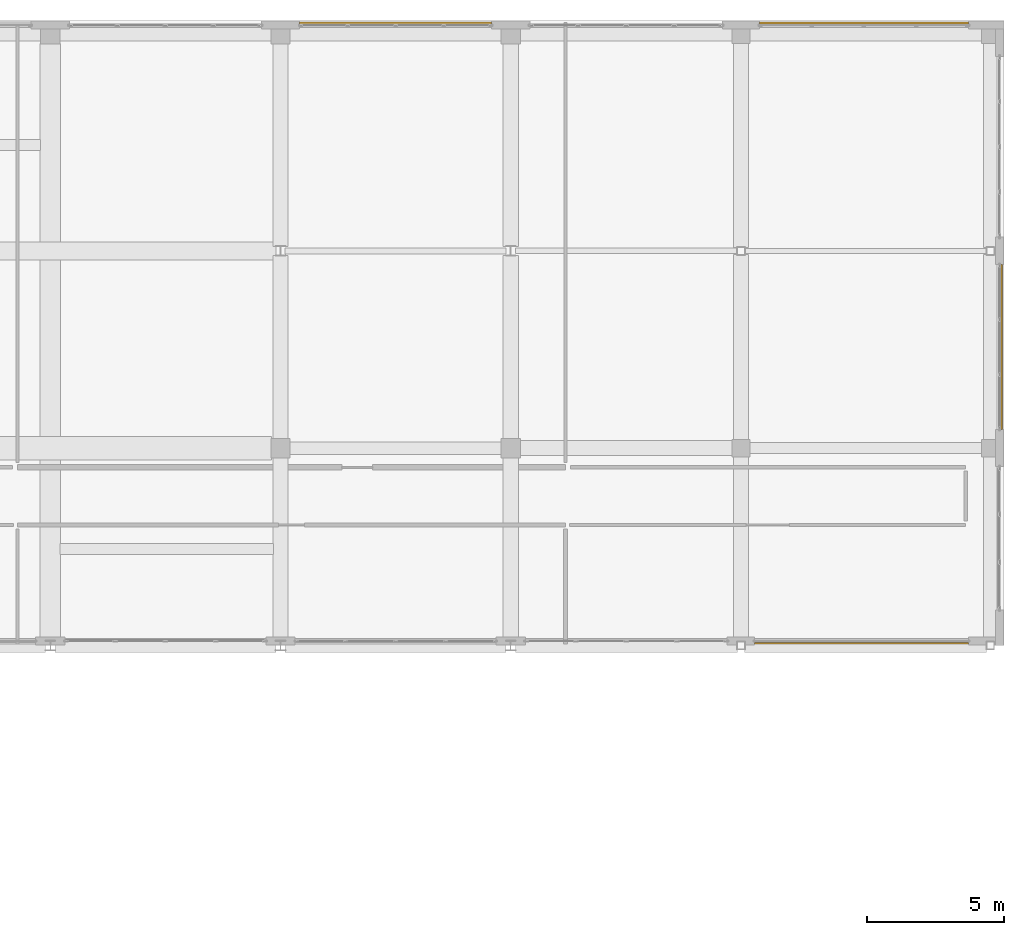
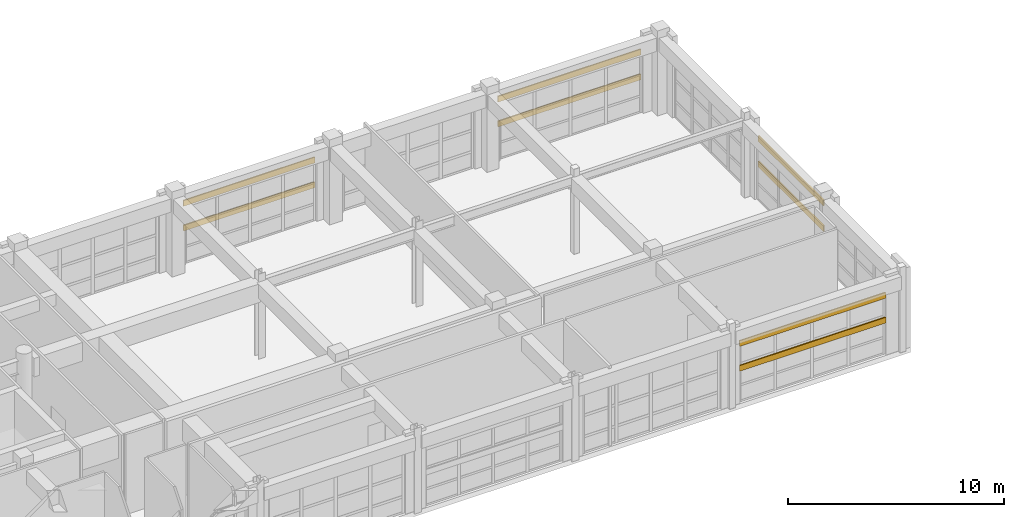
# One storey, part 123 of 123: 8 shading devices.
"""IFC4 building model written with IfcOpenShell, lengths in metres."""

from ifc_helpers import new_model, si_unit, direction, frame, origin, origin_2d, place, context, subcontext, project, spatial, hollow_rectangle, extrude, material, material_profile, profile_set, type_object, element, save


model = new_model("IFC4")

# Units and contexts
model_context = context("Model", 3, precision=1e-05, world=origin(), true_north=direction((0.0, 1.0)))
body_context = subcontext(model_context, "Body", "Model", "MODEL_VIEW")
ifc_project = project(units=[si_unit("LENGTHUNIT", "METRE"), si_unit("AREAUNIT", "SQUARE_METRE"), si_unit("VOLUMEUNIT", "CUBIC_METRE"), si_unit("PLANEANGLEUNIT", "RADIAN"), si_unit("MASSUNIT", "GRAM", prefix="KILO")], contexts=[model_context])

# Site, building, storey
site_placement = place(None, origin())
site = spatial("IfcSite", under=ifc_project, at=site_placement, CompositionType="ELEMENT")
building_placement = place(site_placement, origin())
building = spatial("IfcBuilding", under=site, at=building_placement, Name="Quendrovan Civic Courthouse", CompositionType="ELEMENT")
storey_placement = place(building_placement, frame((0.0, 0.0, 5.39990234375)))
storey = spatial("IfcBuildingStorey", under=building, at=storey_placement, Name="L02", CompositionType="ELEMENT", Elevation=5.39990234375)

# Shading devices
ifc_material = material(Name="Bronze anodised aluminium", Category="aluminium")
ifc_material_profile = material_profile(ifc_material, hollow_rectangle(XDim=0.06494140625, YDim=0.320068359375, WallThickness=0.0048828125, at=origin_2d()), Name="AL-LOUVRE-65x320")
ifc_profile_set = profile_set([ifc_material_profile], Name="Bronze anodised aluminium")
shading_device_type = type_object("IfcShadingDeviceType", Name="SHD-STORM-LOUVRE", PredefinedType="JALOUSIE", material=ifc_profile_set)
for number, where, z_axis, x_axis, name in (
    (1, (135.10009765625, 110.31494140625, 1.9501953125), (1.0, 0.0, 0.0), (0.0, 1.0, 0.0), "L02 Bronze Hurricane Storm Louvre SLV-093"),
    (2, (135.10009765625, 110.31494140625, 3.35009765625), (1.0, 0.0, 0.0), (0.0, 1.0, 0.0), "L02 Bronze Hurricane Storm Louvre SLV-094"),
):
    element("IfcShadingDevice", number, at=place(storey_placement, frame(where, z_axis=z_axis, x_axis=x_axis)), inside=storey, type_object=shading_device_type, Name=name, PredefinedType="JALOUSIE", context=body_context, shape_type="SweptSolid", body=[
        extrude(hollow_rectangle(XDim=0.06494140625, YDim=0.320068359375, WallThickness=0.0048828125, at=origin_2d()), origin(), (0.0, 0.0, 1.0), 7.0),
    ])
for number, where, z_axis, x_axis, name in (
    (3, (151.875, 110.31494140625, 1.9501953125), (1.0, 0.0, 0.0), (0.0, 1.0, 0.0), "L02 Bronze Hurricane Storm Louvre SLV-095"),
    (4, (151.875, 110.31494140625, 3.35009765625), (1.0, 0.0, 0.0), (0.0, 1.0, 0.0), "L02 Bronze Hurricane Storm Louvre SLV-096"),
):
    element("IfcShadingDevice", number, at=place(storey_placement, frame(where, z_axis=z_axis, x_axis=x_axis)), inside=storey, type_object=shading_device_type, Name=name, PredefinedType="JALOUSIE", context=body_context, shape_type="SweptSolid", body=[
        extrude(hollow_rectangle(XDim=0.06494140625, YDim=0.320068359375, WallThickness=0.0048828125, at=origin_2d()), origin(), (0.0, 0.0, 1.0), 7.625),
    ])
for number, where, z_axis, x_axis, name in (
    (5, (160.715087890625, 101.5, 1.9501953125), (0.0, -1.0, 0.0), (1.0, 0.0, 0.0), "L02 Bronze Hurricane Storm Louvre SLV-097"),
    (6, (160.715087890625, 101.5, 3.39013671875), (0.0, -1.0, 0.0), (1.0, 0.0, 0.0), "L02 Bronze Hurricane Storm Louvre SLV-098"),
):
    element("IfcShadingDevice", number, at=place(storey_placement, frame(where, z_axis=z_axis, x_axis=x_axis)), inside=storey, type_object=shading_device_type, Name=name, PredefinedType="JALOUSIE", context=body_context, shape_type="SweptSolid", body=[
        extrude(hollow_rectangle(XDim=0.06494140625, YDim=0.320068359375, WallThickness=0.0048828125, at=origin_2d()), origin(), (0.0, 0.0, 1.0), 6.02490234375),
    ])
for number, where, z_axis, x_axis, name in (
    (7, (159.5, 87.68505859375, 1.9501953125), (-1.0, 0.0, 0.0), (0.0, -1.0, 0.0), "L02 Bronze Hurricane Storm Louvre SLV-099"),
    (8, (159.5, 87.68505859375, 3.35009765625), (-1.0, 0.0, 0.0), (0.0, -1.0, 0.0), "L02 Bronze Hurricane Storm Louvre SLV-100"),
):
    element("IfcShadingDevice", number, at=place(storey_placement, frame(where, z_axis=z_axis, x_axis=x_axis)), inside=storey, type_object=shading_device_type, Name=name, PredefinedType="JALOUSIE", context=body_context, shape_type="SweptSolid", body=[
        extrude(hollow_rectangle(XDim=0.06494140625, YDim=0.320068359375, WallThickness=0.0048828125, at=origin_2d()), origin(), (0.0, 0.0, 1.0), 7.800048828125),
    ])

save(model, "model.ifc")
